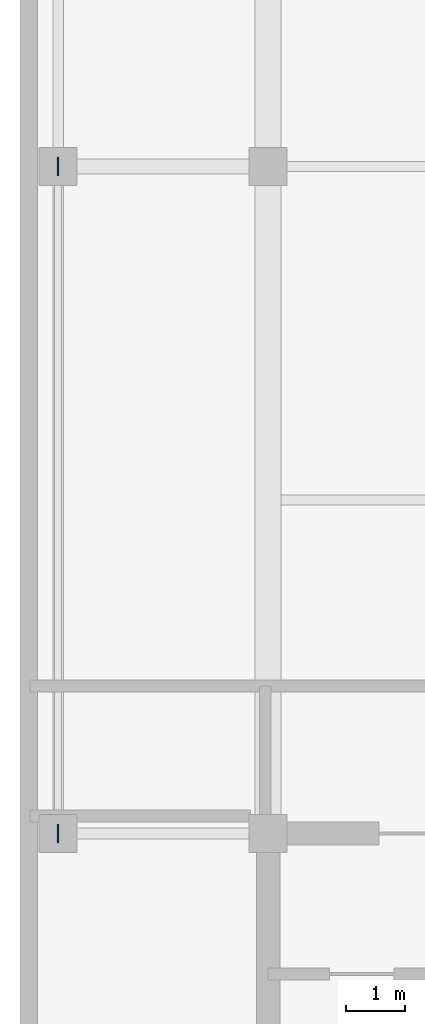
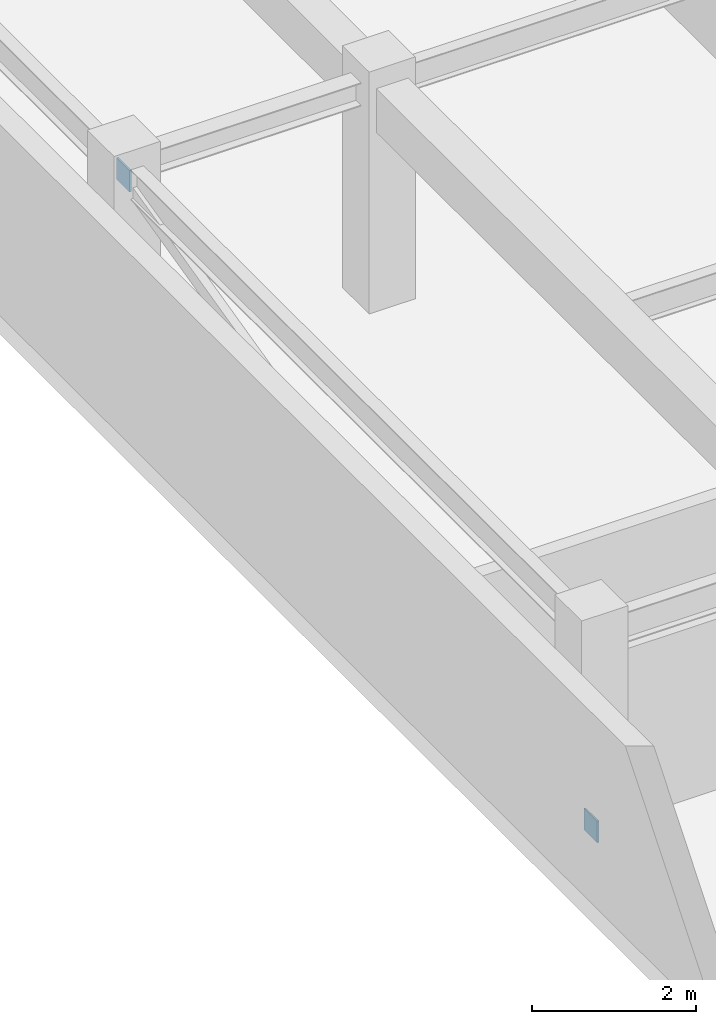
# One storey, part 7 of 9: 2 discrete accessories.
"""IFC4 building model written with IfcOpenShell, lengths in metres."""

from ifc_helpers import new_model, si_unit, direction, frame, origin, origin_2d, place, context, subcontext, project, spatial, rectangle, extrude, material, layer, layer_set, type_object, element, save


model = new_model("IFC4")

# Units and contexts
model_context = context("Model", 3, precision=1e-05, world=origin(), true_north=direction((0.0, 1.0)))
body_context = subcontext(model_context, "Body", "Model", "MODEL_VIEW")
ifc_project = project(units=[si_unit("LENGTHUNIT", "METRE"), si_unit("AREAUNIT", "SQUARE_METRE"), si_unit("VOLUMEUNIT", "CUBIC_METRE"), si_unit("PLANEANGLEUNIT", "RADIAN"), si_unit("MASSUNIT", "GRAM", prefix="KILO")], contexts=[model_context])

# Site, building, storey
site_placement = place(None, origin())
site = spatial("IfcSite", under=ifc_project, at=site_placement, CompositionType="ELEMENT")
building_placement = place(site_placement, origin())
building = spatial("IfcBuilding", under=site, at=building_placement, Name="Svetorya Sky Lyceum", CompositionType="ELEMENT")
storey_placement = place(building_placement, frame((0.0, 0.0, 316.39990234375)))
storey = spatial("IfcBuildingStorey", under=building, at=storey_placement, Name="C05", CompositionType="ELEMENT", Elevation=316.39990234375)

# Discrete accessories
ifc_material = material(Name="Steel S355", Category="steel")
ifc_layer = layer(ifc_material, 0.02392578125)
ifc_layer_set = layer_set([ifc_layer], Name="Steel S355")
discrete_accessory_type = type_object("IfcDiscreteAccessoryType", Name="ACC-GUSSET-24", PredefinedType="BRACKET", material=ifc_layer_set)
for number, where, z_axis, x_axis, name in (
    (1, (22.010009765625, 16.800048828125, 0.08984375), (0.0, 0.0, 1.0), (1.0, 0.0, 0.0), "C05 Brace Node Gusset Plate 209"),
    (2, (22.010009765625, 28.199951171875, 2.85986328125), (0.0, 0.0, 1.0), (1.0, 0.0, 0.0), "C05 Brace Node Gusset Plate 210"),
):
    element("IfcDiscreteAccessory", number, at=place(storey_placement, frame(where, z_axis=z_axis, x_axis=x_axis)), inside=storey, type_object=discrete_accessory_type, Name=name, PredefinedType="BRACKET", context=body_context, shape_type="SweptSolid", body=[
        extrude(rectangle(XDim=0.02392578125, YDim=0.320068359375, at=origin_2d()), origin(), (0.0, 0.0, 1.0), 0.320068359375),
    ])

save(model, "model.ifc")
